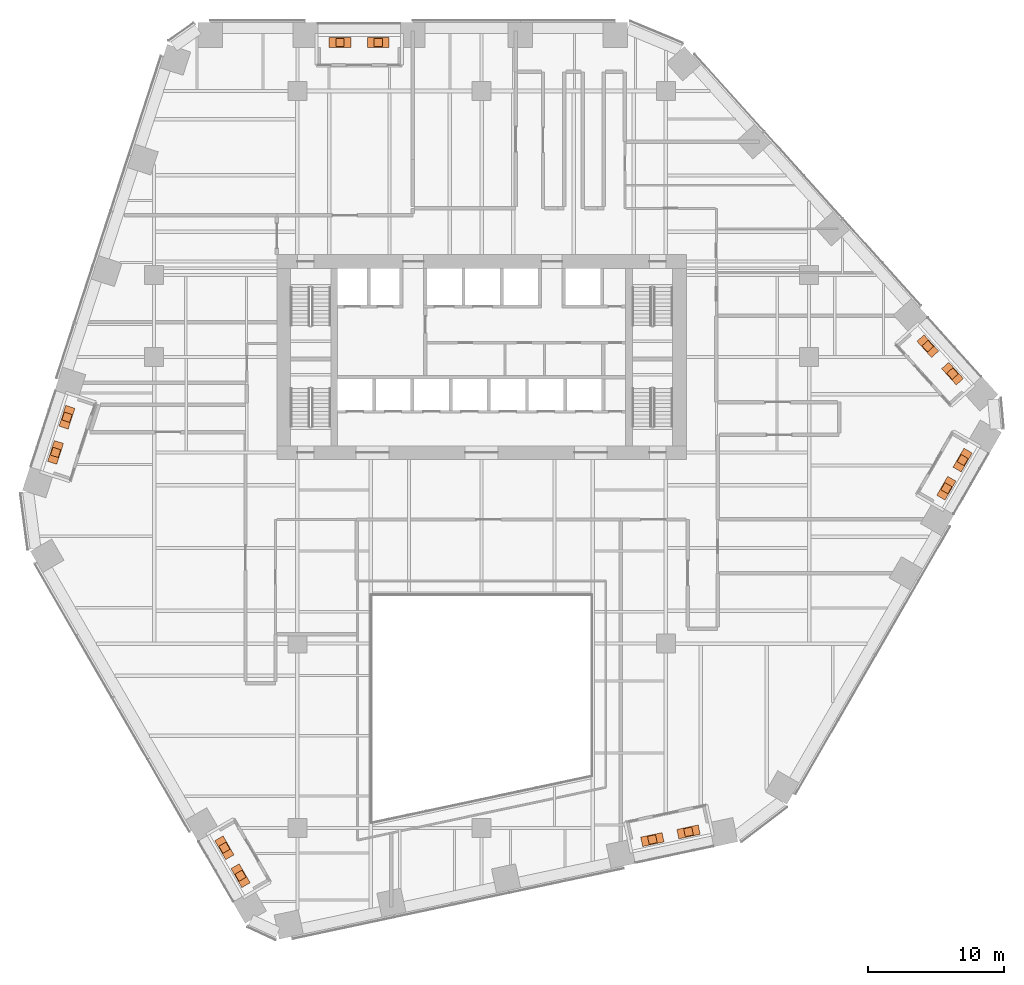
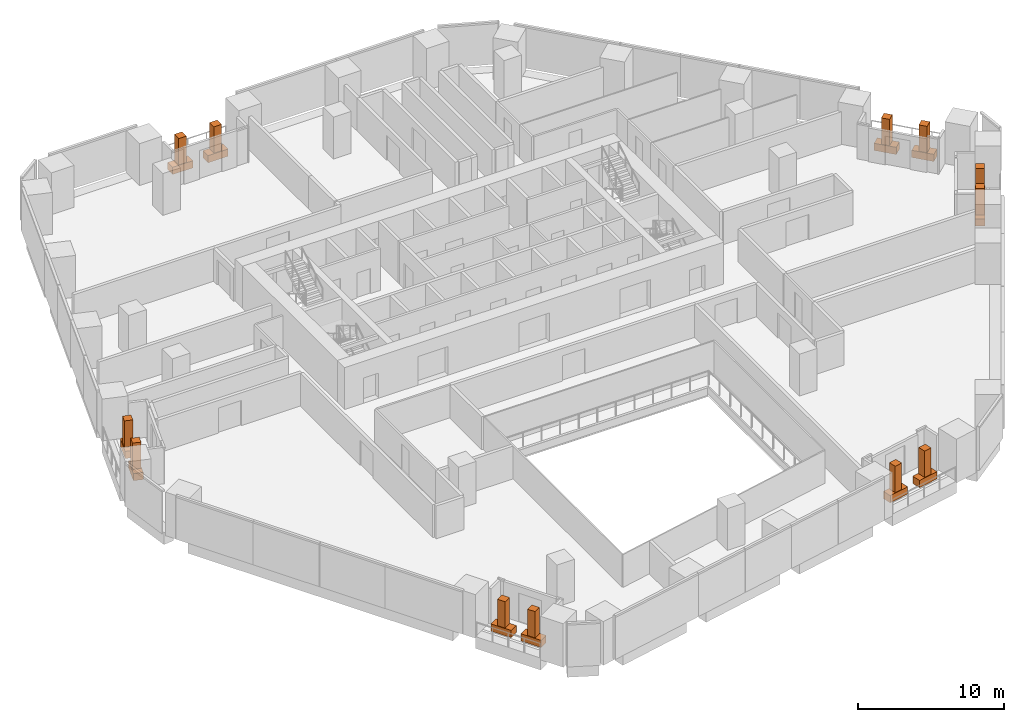
# One storey, part 31 of 31: 12 geographic elements, 12 proxies.
"""IFC4 building model written with IfcOpenShell, lengths in metres."""

from ifc_helpers import new_model, si_unit, direction, frame, origin, origin_2d, place, context, subcontext, project, spatial, rectangle, extrude, material, type_object, element, save


model = new_model("IFC4")

# Units and contexts
model_context = context("Model", 3, precision=1e-05, world=origin(), true_north=direction((0.0, 1.0)))
body_context = subcontext(model_context, "Body", "Model", "MODEL_VIEW")
ifc_project = project(units=[si_unit("LENGTHUNIT", "METRE"), si_unit("AREAUNIT", "SQUARE_METRE"), si_unit("VOLUMEUNIT", "CUBIC_METRE"), si_unit("PLANEANGLEUNIT", "RADIAN"), si_unit("MASSUNIT", "GRAM", prefix="KILO")], contexts=[model_context])

# Site, building, storey
site_placement = place(None, origin())
site = spatial("IfcSite", under=ifc_project, at=site_placement, CompositionType="ELEMENT")
building_placement = place(site_placement, origin())
building = spatial("IfcBuilding", under=site, at=building_placement, Name="Isthmus Gate Tower", CompositionType="ELEMENT")
storey_placement = place(building_placement, frame((0.0, 0.0, 54.25)))
storey = spatial("IfcBuildingStorey", under=building, at=storey_placement, Name="L11", CompositionType="ELEMENT", Elevation=54.25)

# Geographic elements
ifc_material_1 = material(Name="Plant material, broadleaf tree")
geographic_element_type = type_object("IfcGeographicElementType", Name="BROADLEAF TREE 2200 HIGH", PredefinedType="USERDEFINED", material=ifc_material_1)
for number, where, z_axis, x_axis, name in (
    (1, (-7.575927734375, 30.550048828125, 0.60009765625), (0.0, 0.0, 1.0), (-1.0, 0.0, 0.0), "TREE"),
    (2, (-10.367919921875, 30.550048828125, 0.60009765625), (0.0, 0.0, 1.0), (-1.0, 0.0, 0.0), "TREE"),
    (3, (-30.38232421875, 3.091796875, 0.60009765625), (0.0, 0.0, 1.0), (-0.309016994375, -0.951056516295, 0.0), "TREE"),
    (4, (-31.219482421875, 0.515380859375, 0.60009765625), (0.0, 0.0, 1.0), (-0.309016994375, -0.951056516295, 0.0), "TREE"),
    (5, (-18.846435546875, -28.45703125, 0.60009765625), (0.0, 0.0, 1.0), (0.5, -0.866025403784, 0.0), "TREE"),
    (6, (-17.663330078125, -30.506103515625, 0.60009765625), (0.0, 0.0, 1.0), (0.5, -0.866025403784, 0.0), "TREE"),
    (7, (12.513671875, -27.857666015625, 0.60009765625), (0.0, 0.0, 1.0), (0.978147600734, 0.207911690818, 0.0), "TREE"),
    (8, (15.16357421875, -27.29443359375, 0.60009765625), (0.0, 0.0, 1.0), (0.978147600734, 0.207911690818, 0.0), "TREE"),
    (9, (34.058349609375, -2.109375, 0.60009765625), (0.0, 0.0, 1.0), (0.5, 0.866025403784, 0.0), "TREE"),
    (10, (35.247314453125, -0.0498046875, 0.60009765625), (0.0, 0.0, 1.0), (0.5, 0.866025403784, 0.0), "TREE"),
    (11, (34.5087890625, 6.285400390625, 0.60009765625), (0.0, 0.0, 1.0), (-0.669130606359, 0.743144825477, 0.0), "TREE"),
    (12, (32.696044921875, 8.298583984375, 0.60009765625), (0.0, 0.0, 1.0), (-0.669130606359, 0.743144825477, 0.0), "TREE"),
):
    element("IfcGeographicElement", number, at=place(storey_placement, frame(where, z_axis=z_axis, x_axis=x_axis)), inside=storey, type_object=geographic_element_type, Name=name, ObjectType="TREE", PredefinedType="USERDEFINED", context=body_context, shape_type="SweptSolid", body=[
        extrude(rectangle(XDim=0.60009765625, YDim=0.60009765625, at=origin_2d()), origin(), (0.0, 0.0, 1.0), 2.199951171875),
    ])

# Proxies
ifc_material_2 = material(Name="Concrete f'c 40 MPa", Category="concrete")
building_element_proxy_type = type_object("IfcBuildingElementProxyType", Name="CONCRETE PLANTER 1600 X 700 X 600", PredefinedType="USERDEFINED", material=ifc_material_2)
for number, where, z_axis, x_axis, name in (
    (13, (-7.575927734375, 30.550048828125, 0.0), (0.0, 0.0, 1.0), (-1.0, 0.0, 0.0), "PLANTER"),
    (14, (-10.367919921875, 30.550048828125, 0.0), (0.0, 0.0, 1.0), (-1.0, 0.0, 0.0), "PLANTER"),
    (15, (-30.38232421875, 3.091796875, 0.0), (0.0, 0.0, 1.0), (-0.309016994375, -0.951056516295, 0.0), "PLANTER"),
    (16, (-31.219482421875, 0.515380859375, 0.0), (0.0, 0.0, 1.0), (-0.309016994375, -0.951056516295, 0.0), "PLANTER"),
    (17, (-18.846435546875, -28.45703125, 0.0), (0.0, 0.0, 1.0), (0.5, -0.866025403784, 0.0), "PLANTER"),
    (18, (-17.663330078125, -30.506103515625, 0.0), (0.0, 0.0, 1.0), (0.5, -0.866025403784, 0.0), "PLANTER"),
    (19, (12.513671875, -27.857666015625, 0.0), (0.0, 0.0, 1.0), (0.978147600734, 0.207911690818, 0.0), "PLANTER"),
    (20, (15.16357421875, -27.29443359375, 0.0), (0.0, 0.0, 1.0), (0.978147600734, 0.207911690818, 0.0), "PLANTER"),
    (21, (34.058349609375, -2.109375, 0.0), (0.0, 0.0, 1.0), (0.5, 0.866025403784, 0.0), "PLANTER"),
    (22, (35.247314453125, -0.0498046875, 0.0), (0.0, 0.0, 1.0), (0.5, 0.866025403784, 0.0), "PLANTER"),
    (23, (34.5087890625, 6.285400390625, 0.0), (0.0, 0.0, 1.0), (-0.669130606359, 0.743144825477, 0.0), "PLANTER"),
    (24, (32.696044921875, 8.298583984375, 0.0), (0.0, 0.0, 1.0), (-0.669130606359, 0.743144825477, 0.0), "PLANTER"),
):
    element("IfcBuildingElementProxy", number, at=place(storey_placement, frame(where, z_axis=z_axis, x_axis=x_axis)), inside=storey, type_object=building_element_proxy_type, Name=name, ObjectType="PLANTER", PredefinedType="USERDEFINED", context=body_context, shape_type="SweptSolid", body=[
        extrude(rectangle(XDim=1.60009765625, YDim=0.699951171875, at=origin_2d()), origin(), (0.0, 0.0, 1.0), 0.60009765625),
    ])

save(model, "model.ifc")
